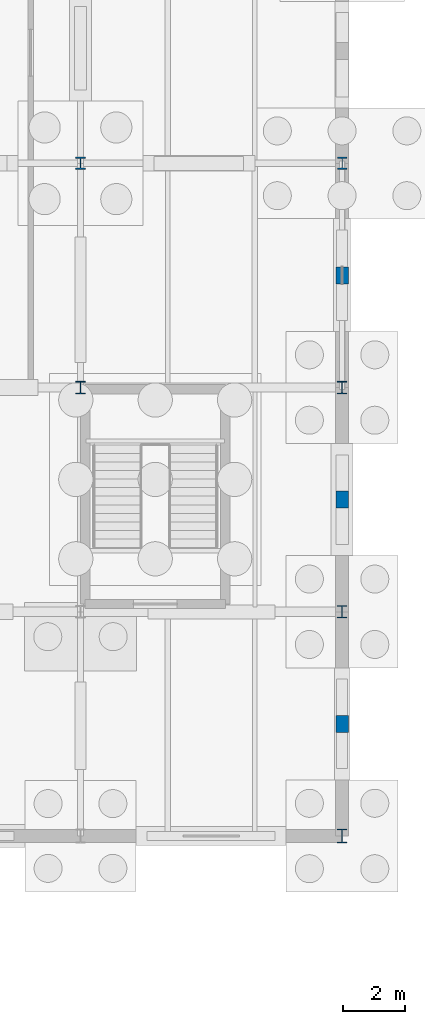
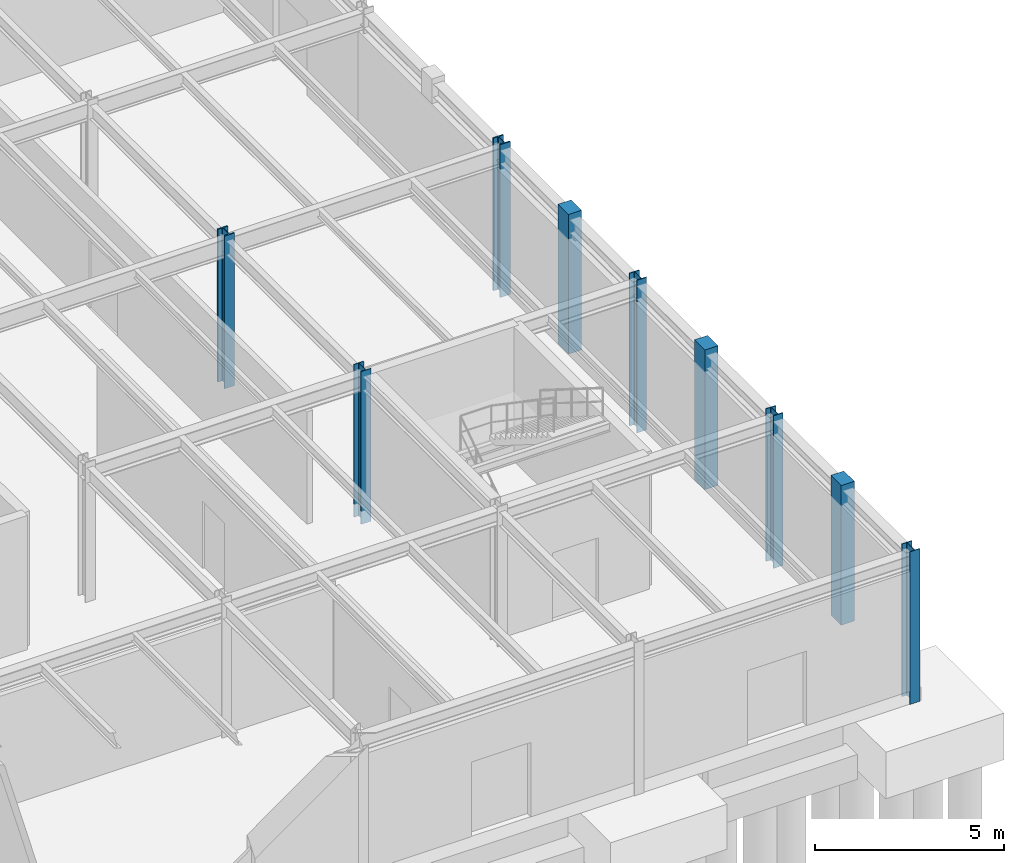
# One storey, part 27 of 93: 9 columns.
"""IFC4 building model written with IfcOpenShell, lengths in metres."""

from ifc_helpers import new_model, si_unit, derived_unit, direction, frame, origin, origin_2d, place, context, subcontext, project, spatial, rectangle, i_section, extrude, material, material_profile, profile_set, type_object, element, save


model = new_model("IFC4")

# Units and contexts
model_context = context("Model", 3, precision=1e-05, world=origin(), true_north=direction((0.0, 1.0)))
body_context = subcontext(model_context, "Body", "Model", "MODEL_VIEW")
ifc_project = project(units=[si_unit("LENGTHUNIT", "METRE"), si_unit("AREAUNIT", "SQUARE_METRE"), si_unit("VOLUMEUNIT", "CUBIC_METRE"), si_unit("PLANEANGLEUNIT", "RADIAN"), si_unit("MASSUNIT", "GRAM", prefix="KILO"), derived_unit("THERMALTRANSMITTANCEUNIT", [(si_unit("MASSUNIT", "GRAM", prefix="KILO"), 1), (si_unit("TIMEUNIT", "SECOND"), -3), (si_unit("THERMODYNAMICTEMPERATUREUNIT", "KELVIN"), -1)])], contexts=[model_context])

# Site, building, storey
site_placement = place(None, origin())
site = spatial("IfcSite", under=ifc_project, at=site_placement, CompositionType="ELEMENT")
building_placement = place(site_placement, origin())
building = spatial("IfcBuilding", under=site, at=building_placement, Name="Kharveza Railside Sports Centre", CompositionType="ELEMENT")
storey_placement = place(building_placement, origin())
storey = spatial("IfcBuildingStorey", under=building, at=storey_placement, Name="L00", CompositionType="ELEMENT", Elevation=0.0)

# Columns
ifc_material_1 = material(Name="Concrete C35/45", Category="concrete")
ifc_material_profile_1 = material_profile(ifc_material_1, rectangle(XDim=0.39990234375, YDim=0.550048828125, at=origin_2d()), Name="RC 400x550")
ifc_profile_set_1 = profile_set([ifc_material_profile_1], Name="Concrete C35/45")
column_type_1 = type_object("IfcColumnType", Name="COL-RC06", PredefinedType="PILASTER", material=ifc_profile_set_1)
for number, where, z_axis, x_axis, name in (
    (1, (168.0, 10.800048828125, 0.0), (0.0, 0.0, 1.0), (1.0, 0.0, 0.0), "COL-PIL-BRM-01"),
    (2, (168.0, 18.0, 0.0), (0.0, 0.0, 1.0), (1.0, 0.0, 0.0), "COL-PIL-BRM-02"),
    (3, (168.0, 25.199951171875, 0.0), (0.0, 0.0, 1.0), (1.0, 0.0, 0.0), "COL-PIL-BRM-03"),
):
    element("IfcColumn", number, at=place(storey_placement, frame(where, z_axis=z_axis, x_axis=x_axis)), inside=storey, type_object=column_type_1, Name=name, PredefinedType="PILASTER", context=body_context, shape_type="SweptSolid", body=[
        extrude(rectangle(XDim=0.39990234375, YDim=0.550048828125, at=origin_2d()), origin(), (0.0, 0.0, 1.0), 4.5),
    ])
ifc_material_2 = material(Name="Steel S355J2", Category="steel")
ifc_material_profile_2 = material_profile(ifc_material_2, i_section(OverallWidth=0.30810546875, OverallDepth=0.39501953125, WebThickness=0.02099609375, FlangeThickness=0.0400390625, FilletRadius=0.027099609375, at=origin_2d()), Name="HEM 360")
ifc_profile_set_2 = profile_set([ifc_material_profile_2], Name="Steel S355J2")
column_type_2 = type_object("IfcColumnType", Name="COL-S02", PredefinedType="COLUMN", material=ifc_profile_set_2)
for number, where, z_axis, x_axis, name in (
    (4, (159.60009765625, 28.800048828125, -0.419921875), (0.0, 0.0, 1.0), (1.0, 0.0, 0.0), "COL-G-C02-X1596-Y288-L00"),
    (5, (168.0, 28.800048828125, -0.419921875), (0.0, 0.0, 1.0), (1.0, 0.0, 0.0), "COL-G-C02-X1680-Y288-L00"),
):
    element("IfcColumn", number, at=place(storey_placement, frame(where, z_axis=z_axis, x_axis=x_axis)), inside=storey, type_object=column_type_2, Name=name, PredefinedType="COLUMN", context=body_context, shape_type="SweptSolid", body=[
        extrude(i_section(OverallWidth=0.30810546875, OverallDepth=0.39501953125, WebThickness=0.02099609375, FlangeThickness=0.0400390625, FilletRadius=0.027099609375, at=origin_2d()), origin(), (0.0, 0.0, 1.0), 4.919921875),
    ])
ifc_material_profile_3 = material_profile(ifc_material_2, i_section(OverallWidth=0.300048828125, OverallDepth=0.39990234375, WebThickness=0.013427734375, FlangeThickness=0.02392578125, FilletRadius=0.027099609375, at=origin_2d()), Name="HEB 400")
ifc_profile_set_3 = profile_set([ifc_material_profile_3], Name="Steel S355J2")
column_type_3 = type_object("IfcColumnType", Name="COL-S05", PredefinedType="COLUMN", material=ifc_profile_set_3)
for number, where, z_axis, x_axis, name in (
    (6, (159.60009765625, 21.60009765625, -0.419921875), (0.0, 0.0, 1.0), (1.0, 0.0, 0.0), "COL-G-C05-X1596-Y216-L00"),
    (7, (168.0, 14.39990234375, -0.419921875), (0.0, 0.0, 1.0), (1.0, 0.0, 0.0), "COL-G-C05-X1680-Y144-L00"),
    (8, (168.0, 21.60009765625, -0.419921875), (0.0, 0.0, 1.0), (1.0, 0.0, 0.0), "COL-G-C05-X1680-Y216-L00"),
):
    element("IfcColumn", number, at=place(storey_placement, frame(where, z_axis=z_axis, x_axis=x_axis)), inside=storey, type_object=column_type_3, Name=name, PredefinedType="COLUMN", context=body_context, shape_type="SweptSolid", body=[
        extrude(i_section(OverallWidth=0.300048828125, OverallDepth=0.39990234375, WebThickness=0.013427734375, FlangeThickness=0.02392578125, FilletRadius=0.027099609375, at=origin_2d()), origin(), (0.0, 0.0, 1.0), 4.919921875),
    ])
ifc_material_profile_4 = material_profile(ifc_material_2, i_section(OverallWidth=0.300048828125, OverallDepth=0.43994140625, WebThickness=0.011474609375, FlangeThickness=0.02099609375, FilletRadius=0.027099609375, at=origin_2d()), Name="HEA 450")
ifc_profile_set_4 = profile_set([ifc_material_profile_4], Name="Steel S355J2")
column_type_4 = type_object("IfcColumnType", Name="COL-S09", PredefinedType="COLUMN", material=ifc_profile_set_4)
column_placement = place(storey_placement, frame((168.0, 7.199951171875, -0.419921875), z_axis=(0.0, 0.0, 1.0), x_axis=(1.0, 0.0, 0.0)))
element("IfcColumn", 9, at=column_placement, inside=storey, type_object=column_type_4, Name="COL-G-C09-X1680-Y72-L00", PredefinedType="COLUMN", context=body_context, shape_type="SweptSolid", body=[
    extrude(i_section(OverallWidth=0.300048828125, OverallDepth=0.43994140625, WebThickness=0.011474609375, FlangeThickness=0.02099609375, FilletRadius=0.027099609375, at=origin_2d()), origin(), (0.0, 0.0, 1.0), 4.919921875),
])

save(model, "model.ifc")
